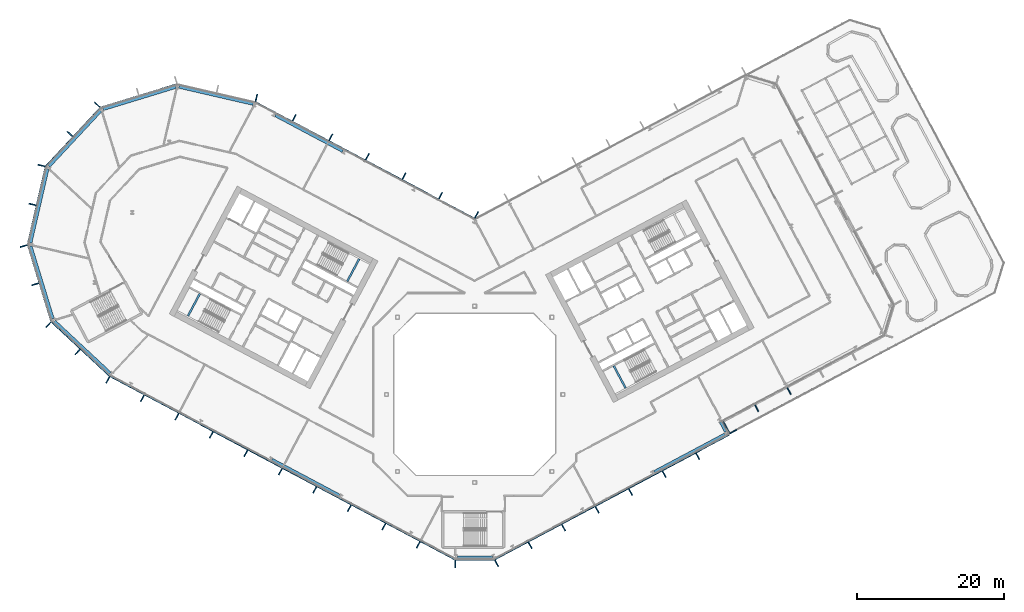
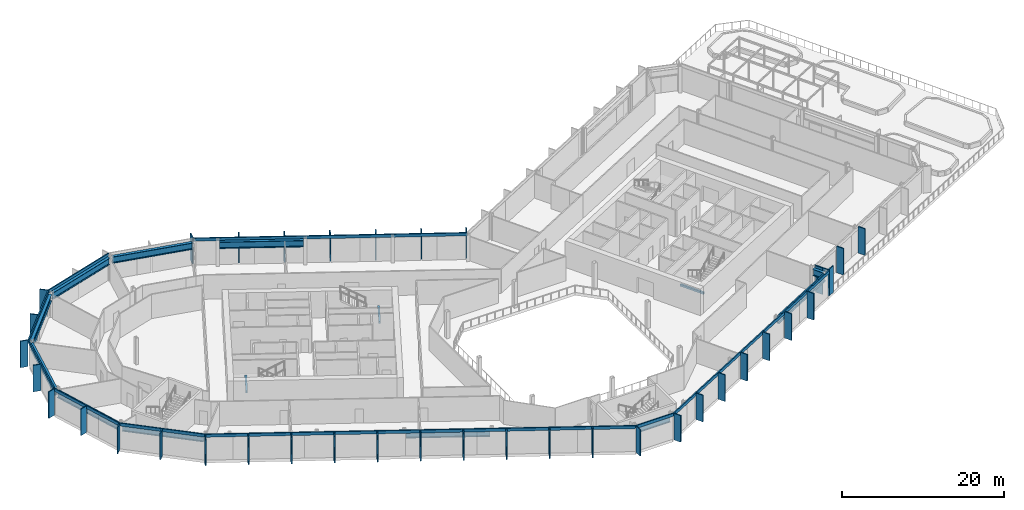
# One storey, part 9 of 34: 47 members, 14 beams, 12 elements without a shape of their own.
"""IFC4 building model written with IfcOpenShell, lengths in metres."""

import ifcopenshell
import ifcopenshell.guid

model = None  # the IFC model being written
_history = None  # IfcOwnerHistory: only IFC2X3 demands one
_inside = {}  # id of a spatial element -> (the spatial element, [elements in it])
_under = {}  # id of a project, library or spatial element -> (it, [spatial elements below it])
_declared = {}  # id of a project -> (the project, [libraries it declares])
_typed = {}  # id of a type object -> (the type object, [elements of that type])
_made_of = {}  # id of a material, layer set ... -> (it, [elements and type objects made of it])


def new_model(schema):
    """Start an empty IFC model of exactly this schema.

    Asked for "IFC4X3", IfcOpenShell would pick the latest addendum, in which some entities
    have other attributes; the version numbers below select the first issue.
    IFC2X3 requires an IfcOwnerHistory on every rooted entity: one is made here for all.
    """
    global model, _history
    if schema == "IFC4X3":
        model = ifcopenshell.file(schema_version=(4, 3, 0, 0))
    else:
        model = ifcopenshell.file(schema=schema)
    _inside.clear()
    _under.clear()
    _declared.clear()
    _typed.clear()
    _made_of.clear()
    _history = None
    if model.schema == "IFC2X3":
        org = make("IfcOrganization", Name="unknown")
        user = make(
            "IfcPersonAndOrganization",
            ThePerson=make("IfcPerson", FamilyName="unknown"),
            TheOrganization=org,
        )
        app = make(
            "IfcApplication",
            ApplicationDeveloper=org,
            Version="unknown",
            ApplicationFullName="unknown",
            ApplicationIdentifier="unknown",
        )
        _history = make(
            "IfcOwnerHistory",
            OwningUser=user,
            OwningApplication=app,
            ChangeAction="ADDED",
            CreationDate=0,
        )
    return model


def make(cls, **values):
    """One entity of the class cls with the attributes given. An attribute that is None is left unset."""
    return model.create_entity(
        cls, **{name: value for name, value in values.items() if value is not None}
    )


def rooted(cls, **values):
    """An entity with a GlobalId (a new one), such as an element, a storey or a relation."""
    return make(cls, GlobalId=ifcopenshell.guid.new(), OwnerHistory=_history, **values)


def si_unit(unit_type, name, prefix=None):
    """IfcSIUnit, for example si_unit("LENGTHUNIT", "METRE", prefix="MILLI")."""
    return make("IfcSIUnit", UnitType=unit_type, Prefix=prefix, Name=name)


def assignment(units):
    """IfcUnitAssignment: the units of a project."""
    return None if units is None else make("IfcUnitAssignment", Units=units)


def point(xyz):
    """IfcCartesianPoint."""
    return None if xyz is None else make("IfcCartesianPoint", Coordinates=xyz)


def direction(xyz):
    """IfcDirection."""
    return None if xyz is None else make("IfcDirection", DirectionRatios=xyz)


def frame(location, z_axis=None, x_axis=None):
    """IfcAxis2Placement3D, a coordinate frame: its origin and axes. An axis left out is left unset."""
    return make(
        "IfcAxis2Placement3D",
        Location=point(location),
        Axis=direction(z_axis),
        RefDirection=direction(x_axis),
    )


def frame_2d(location, x_axis=None):
    """IfcAxis2Placement2D, a coordinate frame in the plane: its origin and x axis."""
    return make(
        "IfcAxis2Placement2D", Location=point(location), RefDirection=direction(x_axis)
    )


def origin():
    """The frame at (0, 0, 0) with its axes left unset."""
    return frame((0.0, 0.0, 0.0))


def origin_2d():
    """The frame at (0, 0) in the plane with its x axis left unset."""
    return frame_2d((0.0, 0.0))


def place(relative_to, where):
    """IfcLocalPlacement: puts the frame where relative to a parent placement (None: the world)."""
    return make(
        "IfcLocalPlacement", PlacementRelTo=relative_to, RelativePlacement=where
    )


def context(
    kind, dimensions, precision=None, world=None, true_north=None, identifier=None
):
    """IfcGeometricRepresentationContext, for example the 3D "Model" context."""
    return make(
        "IfcGeometricRepresentationContext",
        ContextIdentifier=identifier,
        ContextType=kind,
        CoordinateSpaceDimension=dimensions,
        Precision=precision,
        WorldCoordinateSystem=world,
        TrueNorth=true_north,
    )


def subcontext(parent, identifier, kind, view, scale=None):
    """IfcGeometricRepresentationSubContext, for example "Body" below "Model"."""
    return make(
        "IfcGeometricRepresentationSubContext",
        ContextIdentifier=identifier,
        ContextType=kind,
        ParentContext=parent,
        TargetScale=scale,
        TargetView=view,
    )


def project(units=None, contexts=None):
    """IfcProject with its units and contexts."""
    return rooted(
        "IfcProject",
        Name="project",
        RepresentationContexts=contexts,
        UnitsInContext=assignment(units),
    )


def spatial(cls, under=None, at=None, **own):
    """A site, building, storey or space (cls), placed at a placement, below another one or the project."""
    s = rooted(cls, ObjectPlacement=at, **own)
    if under is not None:
        _under.setdefault(under.id(), (under, []))[1].append(s)
    return s


def profile(cls, at=None, kind="AREA", **sizes):
    """A parametric profile (cls). Its sizes go by their IFC names, for example OverallWidth=200.0."""
    return make(cls, ProfileType=kind, Position=at, **sizes)


def rectangle(**sizes):
    """IfcRectangleProfileDef."""
    return profile("IfcRectangleProfileDef", **sizes)


def i_section(**sizes):
    """IfcIShapeProfileDef."""
    return profile("IfcIShapeProfileDef", **sizes)


def extrude(swept, where, along, depth):
    """IfcExtrudedAreaSolid: the profile swept, set in the frame where, extruded along a direction by depth."""
    return make(
        "IfcExtrudedAreaSolid",
        SweptArea=swept,
        Position=where,
        ExtrudedDirection=direction(along),
        Depth=depth,
    )


def shape(context_of_items, identifier, shape_type, items):
    """IfcShapeRepresentation: the items that make up one representation, for example the "Body"."""
    return make(
        "IfcShapeRepresentation",
        ContextOfItems=context_of_items,
        RepresentationIdentifier=identifier,
        RepresentationType=shape_type,
        Items=items,
    )


def material(Name=None, Category=None):
    """IfcMaterial."""
    return make("IfcMaterial", Name=Name, Category=Category)


def layer(
    of_material, thickness, ventilated=None, Name=None, Category=None, Priority=None
):
    """IfcMaterialLayer: one layer of a wall or slab, of a material (None: an air gap)."""
    return make(
        "IfcMaterialLayer",
        Material=of_material,
        LayerThickness=thickness,
        IsVentilated=ventilated,
        Name=Name,
        Category=Category,
        Priority=Priority,
    )


def layer_set(layers, Name=None):
    """IfcMaterialLayerSet."""
    return make("IfcMaterialLayerSet", MaterialLayers=layers, LayerSetName=Name)


def material_profile(
    of_material, cross_section, Name=None, Category=None, Priority=None
):
    """IfcMaterialProfile: a cross section and its material."""
    return make(
        "IfcMaterialProfile",
        Name=Name,
        Material=of_material,
        Profile=cross_section,
        Priority=Priority,
        Category=Category,
    )


def profile_set(profiles, Name=None, composite=None):
    """IfcMaterialProfileSet."""
    return make(
        "IfcMaterialProfileSet",
        Name=Name,
        MaterialProfiles=profiles,
        CompositeProfile=composite,
    )


def made_of(thing, what):
    """Note that an element or type object is made of a material, layer set ...; save() writes the relation."""
    if what is not None:
        _made_of.setdefault(what.id(), (what, []))[1].append(thing)
    return thing


def type_object(cls, material=None, **own):
    """A type object (cls), such as IfcWallType, which elements share."""
    return made_of(rooted(cls, **own), material)


def element(
    cls,
    number,
    at=None,
    inside=None,
    cuts=None,
    type_object=None,
    material=None,
    context=None,
    identifier="Body",
    shape_type=None,
    held_by="IfcProductDefinitionShape",
    body=None,
    shapes=None,
    **own,
):
    """One element of the class cls, such as IfcWall. Its Tag is "e" and its number.

    at: its placement. inside: the storey or other place that contains it. cuts: it is an
    opening in that element (IfcRelVoidsElement). A single representation is given by context,
    identifier, shape_type and body (its items); several are given by shapes. held_by: the class
    of the entity that holds the representations. save() writes the other relations.
    """
    e = rooted(cls, Tag="e%d" % number, ObjectPlacement=at, **own)
    if body is not None:
        shapes = [shape(context, identifier, shape_type, body)]
    if shapes is not None:
        e.Representation = make(held_by, Representations=shapes)
    if inside is not None:
        _inside.setdefault(inside.id(), (inside, []))[1].append(e)
    if cuts is not None:
        rooted(
            "IfcRelVoidsElement", RelatingBuildingElement=cuts, RelatedOpeningElement=e
        )
    if type_object is not None:
        _typed.setdefault(type_object.id(), (type_object, []))[1].append(e)
    return made_of(e, material)


def aggregate(whole, parts):
    """IfcRelAggregates: a whole, such as a stair, and the parts it consists of."""
    return rooted("IfcRelAggregates", RelatingObject=whole, RelatedObjects=parts)


def save(model, path):
    """Write the relations noted so far, then the file.

    IfcRelAggregates (storeys below a building ...), IfcRelContainedInSpatialStructure (elements
    in a storey), IfcRelDefinesByType, IfcRelAssociatesMaterial and IfcRelDeclares: one each for
    every whole, place, type object, material and project.
    """
    for whole, parts in _under.values():
        aggregate(whole, parts)
    for where, things in _inside.values():
        rooted(
            "IfcRelContainedInSpatialStructure",
            RelatedElements=things,
            RelatingStructure=where,
        )
    for kind, things in _typed.values():
        rooted("IfcRelDefinesByType", RelatedObjects=things, RelatingType=kind)
    for what, things in _made_of.values():
        rooted("IfcRelAssociatesMaterial", RelatedObjects=things, RelatingMaterial=what)
    for by, libraries in _declared.values():
        rooted("IfcRelDeclares", RelatingContext=by, RelatedDefinitions=libraries)
    model.write(path)


model = new_model("IFC4")

# Units and contexts
model_context = context("Model", 3, precision=1e-05, world=origin(), true_north=direction((0.0, 1.0)))
body_context = subcontext(model_context, "Body", "Model", "MODEL_VIEW")
ifc_project = project(units=[si_unit("LENGTHUNIT", "METRE"), si_unit("AREAUNIT", "SQUARE_METRE"), si_unit("VOLUMEUNIT", "CUBIC_METRE"), si_unit("PLANEANGLEUNIT", "RADIAN"), si_unit("MASSUNIT", "GRAM", prefix="KILO")], contexts=[model_context])

# Site, building, storey
site_placement = place(None, origin())
site = spatial("IfcSite", under=ifc_project, at=site_placement, CompositionType="ELEMENT")
building_placement = place(site_placement, origin())
building = spatial("IfcBuilding", under=site, at=building_placement, Name="Cormorant Relay Tower", CompositionType="ELEMENT")
storey_placement = place(building_placement, frame((0.0, 0.0, 118.199951171875)))
storey = spatial("IfcBuildingStorey", under=building, at=storey_placement, Name="L23", CompositionType="ELEMENT", Elevation=118.199951171875)

# Curtain wall, member
ifc_material_1 = material(Name="Aluminium 6063-T6 anodised bronze", Category="aluminium")
ifc_layer = layer(ifc_material_1, 0.199951171875)
ifc_layer_set = layer_set([ifc_layer], Name="CW1 unitised bronze curtain wall with vertical fins")
curtain_wall_type = type_object("IfcCurtainWallType", Name="CW1 unitised bronze curtain wall with vertical fins", PredefinedType="NOTDEFINED", material=ifc_layer_set)
curtain_wall_1_placement = place(storey_placement, origin())
curtain_wall_1 = element("IfcCurtainWall", 1, at=curtain_wall_1_placement, inside=storey, type_object=curtain_wall_type, Name="CW1 curtain wall 1", PredefinedType="NOTDEFINED")
ifc_material_2 = material(Name="Aluminium 6063-T6 anodised bronze", Category="aluminium")
ifc_material_profile_1 = material_profile(ifc_material_2, rectangle(XDim=0.14990234375, YDim=1.0, at=origin_2d()), Name="AL 150x1000")
ifc_profile_set_1 = profile_set([ifc_material_profile_1], Name="Aluminium 6063-T6 anodised bronze")
member_type_1 = type_object("IfcMemberType", Name="CW1 bronze fin mullion 150 x 1000", PredefinedType="MULLION", material=ifc_profile_set_1)
member_1_placement = place(storey_placement, frame((-2.648681640625, -23.07568359375, 0.0), z_axis=(0.0, 0.0, 1.0), x_axis=(1.0, 0.0, 0.0)))
member_1 = element("IfcMember", 2, at=member_1_placement, type_object=member_type_1, Name="CW1 fin 1.1", PredefinedType="MULLION", context=body_context, shape_type="SweptSolid", body=[
    extrude(rectangle(XDim=0.14990234375, YDim=1.0, at=origin_2d()), origin(), (0.0, 0.0, 1.0), 4.0),
])

# Curtain wall, members
curtain_wall_2_placement = place(storey_placement, origin())
curtain_wall_2 = element("IfcCurtainWall", 3, at=curtain_wall_2_placement, inside=storey, type_object=curtain_wall_type, Name="CW1 curtain wall 2", PredefinedType="NOTDEFINED")
member_2_placement = place(storey_placement, frame((2.9775390625, -22.99365234375, 0.0), z_axis=(0.0, 0.0, 1.0), x_axis=(0.882947592859, 0.469471562786, 0.0)))
member_2 = element("IfcMember", 4, at=member_2_placement, type_object=member_type_1, Name="CW1 fin 2.1", PredefinedType="MULLION", context=body_context, shape_type="SweptSolid", body=[
    extrude(rectangle(XDim=0.14990234375, YDim=1.0, at=origin_2d()), origin(), (0.0, 0.0, 1.0), 4.0),
])
member_3_placement = place(storey_placement, frame((7.539306640625, -20.568115234375, 0.0), z_axis=(0.0, 0.0, 1.0), x_axis=(0.882947592859, 0.469471562786, 0.0)))
member_3 = element("IfcMember", 5, at=member_3_placement, type_object=member_type_1, Name="CW1 fin 2.2", PredefinedType="MULLION", context=body_context, shape_type="SweptSolid", body=[
    extrude(rectangle(XDim=0.14990234375, YDim=1.0, at=origin_2d()), origin(), (0.0, 0.0, 1.0), 4.0),
])
member_4_placement = place(storey_placement, frame((12.10107421875, -18.142578125, 0.0), z_axis=(0.0, 0.0, 1.0), x_axis=(0.882947592859, 0.469471562786, 0.0)))
member_4 = element("IfcMember", 6, at=member_4_placement, type_object=member_type_1, Name="CW1 fin 2.3", PredefinedType="MULLION", context=body_context, shape_type="SweptSolid", body=[
    extrude(rectangle(XDim=0.14990234375, YDim=1.0, at=origin_2d()), origin(), (0.0, 0.0, 1.0), 4.0),
])
member_5_placement = place(storey_placement, frame((16.662841796875, -15.717041015625, 0.0), z_axis=(0.0, 0.0, 1.0), x_axis=(0.882947592859, 0.469471562786, 0.0)))
member_5 = element("IfcMember", 7, at=member_5_placement, type_object=member_type_1, Name="CW1 fin 2.4", PredefinedType="MULLION", context=body_context, shape_type="SweptSolid", body=[
    extrude(rectangle(XDim=0.14990234375, YDim=1.0, at=origin_2d()), origin(), (0.0, 0.0, 1.0), 4.0),
])
member_6_placement = place(storey_placement, frame((21.224609375, -13.29150390625, 0.0), z_axis=(0.0, 0.0, 1.0), x_axis=(0.882947592859, 0.469471562786, 0.0)))
member_6 = element("IfcMember", 8, at=member_6_placement, type_object=member_type_1, Name="CW1 fin 2.5", PredefinedType="MULLION", context=body_context, shape_type="SweptSolid", body=[
    extrude(rectangle(XDim=0.14990234375, YDim=1.0, at=origin_2d()), origin(), (0.0, 0.0, 1.0), 4.0),
])
member_7_placement = place(storey_placement, frame((25.78662109375, -10.865966796875, 0.0), z_axis=(0.0, 0.0, 1.0), x_axis=(0.882947592859, 0.469471562786, 0.0)))
member_7 = element("IfcMember", 9, at=member_7_placement, type_object=member_type_1, Name="CW1 fin 2.6", PredefinedType="MULLION", context=body_context, shape_type="SweptSolid", body=[
    extrude(rectangle(XDim=0.14990234375, YDim=1.0, at=origin_2d()), origin(), (0.0, 0.0, 1.0), 4.0),
])
member_8_placement = place(storey_placement, frame((30.348388671875, -8.440185546875, 0.0), z_axis=(0.0, 0.0, 1.0), x_axis=(0.882947592859, 0.469471562786, 0.0)))
member_8 = element("IfcMember", 10, at=member_8_placement, type_object=member_type_1, Name="CW1 fin 2.7", PredefinedType="MULLION", context=body_context, shape_type="SweptSolid", body=[
    extrude(rectangle(XDim=0.14990234375, YDim=1.0, at=origin_2d()), origin(), (0.0, 0.0, 1.0), 4.0),
])

# Curtain wall, member
curtain_wall_3_placement = place(storey_placement, origin())
curtain_wall_3 = element("IfcCurtainWall", 11, at=curtain_wall_3_placement, inside=storey, type_object=curtain_wall_type, Name="CW1 curtain wall 3", PredefinedType="NOTDEFINED")
member_9_placement = place(storey_placement, frame((35.199462890625, -5.068115234375, 0.0), z_axis=(0.0, 0.0, 1.0), x_axis=(-0.469471562786, 0.882947592859, 0.0)))
member_9 = element("IfcMember", 12, at=member_9_placement, type_object=member_type_1, Name="CW1 fin 3.1", PredefinedType="MULLION", context=body_context, shape_type="SweptSolid", body=[
    extrude(rectangle(XDim=0.14990234375, YDim=1.0, at=origin_2d()), origin(), (0.0, 0.0, 1.0), 4.0),
])

# Curtain wall, members
curtain_wall_4_placement = place(storey_placement, origin())
curtain_wall_4 = element("IfcCurtainWall", 13, at=curtain_wall_4_placement, inside=storey, type_object=curtain_wall_type, Name="CW1 curtain wall 4", PredefinedType="NOTDEFINED")
member_10_placement = place(storey_placement, frame((34.037353515625, -4.213623046875, 0.0), z_axis=(0.0, 0.0, 1.0), x_axis=(0.882947592859, 0.469471562786, 0.0)))
member_10 = element("IfcMember", 14, at=member_10_placement, type_object=member_type_1, Name="CW1 fin 4.1", PredefinedType="MULLION", context=body_context, shape_type="SweptSolid", body=[
    extrude(rectangle(XDim=0.14990234375, YDim=1.0, at=origin_2d()), origin(), (0.0, 0.0, 1.0), 4.0),
])
member_11_placement = place(storey_placement, frame((38.385986328125, -1.901611328125, 0.0), z_axis=(0.0, 0.0, 1.0), x_axis=(0.882947592859, 0.469471562786, 0.0)))
member_11 = element("IfcMember", 15, at=member_11_placement, type_object=member_type_1, Name="CW1 fin 4.2", PredefinedType="MULLION", context=body_context, shape_type="SweptSolid", body=[
    extrude(rectangle(XDim=0.14990234375, YDim=1.0, at=origin_2d()), origin(), (0.0, 0.0, 1.0), 4.0),
])
member_12_placement = place(storey_placement, frame((42.800537109375, 0.44580078125, 0.0), z_axis=(0.0, 0.0, 1.0), x_axis=(0.882947592859, 0.469471562786, 0.0)))
member_12 = element("IfcMember", 16, at=member_12_placement, type_object=member_type_1, Name="CW1 fin 4.3", PredefinedType="MULLION", context=body_context, shape_type="SweptSolid", body=[
    extrude(rectangle(XDim=0.14990234375, YDim=1.0, at=origin_2d()), origin(), (0.0, 0.0, 1.0), 4.0),
])
aggregate(curtain_wall_4, [member_10, member_11, member_12])

curtain_wall_5_placement = place(storey_placement, origin())
curtain_wall_5 = element("IfcCurtainWall", 17, at=curtain_wall_5_placement, inside=storey, type_object=curtain_wall_type, Name="CW1 curtain wall 9", PredefinedType="NOTDEFINED")
member_13_placement = place(storey_placement, frame((0.262451171875, 24.437255859375, 0.0), z_axis=(0.0, 0.0, 1.0), x_axis=(-0.882947592859, 0.469471562786, 0.0)))
member_13 = element("IfcMember", 18, at=member_13_placement, type_object=member_type_1, Name="CW1 fin 9.1", PredefinedType="MULLION", context=body_context, shape_type="SweptSolid", body=[
    extrude(rectangle(XDim=0.14990234375, YDim=1.0, at=origin_2d()), origin(), (0.0, 0.0, 1.0), 4.0),
])
member_14_placement = place(storey_placement, frame((-4.650390625, 27.04931640625, 0.0), z_axis=(0.0, 0.0, 1.0), x_axis=(-0.882947592859, 0.469471562786, 0.0)))
member_14 = element("IfcMember", 19, at=member_14_placement, type_object=member_type_1, Name="CW1 fin 9.2", PredefinedType="MULLION", context=body_context, shape_type="SweptSolid", body=[
    extrude(rectangle(XDim=0.14990234375, YDim=1.0, at=origin_2d()), origin(), (0.0, 0.0, 1.0), 4.0),
])
member_15_placement = place(storey_placement, frame((-9.62939453125, 29.69677734375, 0.0), z_axis=(0.0, 0.0, 1.0), x_axis=(-0.882947592859, 0.469471562786, 0.0)))
member_15 = element("IfcMember", 20, at=member_15_placement, type_object=member_type_1, Name="CW1 fin 9.3", PredefinedType="MULLION", context=body_context, shape_type="SweptSolid", body=[
    extrude(rectangle(XDim=0.14990234375, YDim=1.0, at=origin_2d()), origin(), (0.0, 0.0, 1.0), 4.0),
])
member_16_placement = place(storey_placement, frame((-14.608154296875, 32.343994140625, 0.0), z_axis=(0.0, 0.0, 1.0), x_axis=(-0.882947592859, 0.469471562786, 0.0)))
member_16 = element("IfcMember", 21, at=member_16_placement, type_object=member_type_1, Name="CW1 fin 9.4", PredefinedType="MULLION", context=body_context, shape_type="SweptSolid", body=[
    extrude(rectangle(XDim=0.14990234375, YDim=1.0, at=origin_2d()), origin(), (0.0, 0.0, 1.0), 4.0),
])
member_17_placement = place(storey_placement, frame((-19.587158203125, 34.991455078125, 0.0), z_axis=(0.0, 0.0, 1.0), x_axis=(-0.882947592859, 0.469471562786, 0.0)))
member_17 = element("IfcMember", 22, at=member_17_placement, type_object=member_type_1, Name="CW1 fin 9.5", PredefinedType="MULLION", context=body_context, shape_type="SweptSolid", body=[
    extrude(rectangle(XDim=0.14990234375, YDim=1.0, at=origin_2d()), origin(), (0.0, 0.0, 1.0), 4.0),
])
member_18_placement = place(storey_placement, frame((-24.566162109375, 37.638916015625, 0.0), z_axis=(0.0, 0.0, 1.0), x_axis=(-0.882947592859, 0.469471562786, 0.0)))
member_18 = element("IfcMember", 23, at=member_18_placement, type_object=member_type_1, Name="CW1 fin 9.6", PredefinedType="MULLION", context=body_context, shape_type="SweptSolid", body=[
    extrude(rectangle(XDim=0.14990234375, YDim=1.0, at=origin_2d()), origin(), (0.0, 0.0, 1.0), 4.0),
])

# Curtain wall, member
curtain_wall_6_placement = place(storey_placement, origin())
curtain_wall_6 = element("IfcCurtainWall", 24, at=curtain_wall_6_placement, inside=storey, type_object=curtain_wall_type, Name="CW1 curtain wall 10", PredefinedType="NOTDEFINED")
member_19_placement = place(storey_placement, frame((-29.71630859375, 40.35009765625, 0.0), z_axis=(0.0, 0.0, 1.0), x_axis=(-0.974370064785, 0.224951054344, 0.0)))
member_19 = element("IfcMember", 25, at=member_19_placement, type_object=member_type_1, Name="CW1 fin 10.1", PredefinedType="MULLION", context=body_context, shape_type="SweptSolid", body=[
    extrude(rectangle(XDim=0.14990234375, YDim=1.0, at=origin_2d()), origin(), (0.0, 0.0, 1.0), 4.0),
])
aggregate(curtain_wall_6, [member_19])

# Curtain wall, members
curtain_wall_7_placement = place(storey_placement, origin())
curtain_wall_7 = element("IfcCurtainWall", 26, at=curtain_wall_7_placement, inside=storey, type_object=curtain_wall_type, Name="CW1 curtain wall 12", PredefinedType="NOTDEFINED")
member_20_placement = place(storey_placement, frame((-51.372802734375, 39.41259765625, 0.0), z_axis=(0.0, 0.0, 1.0), x_axis=(-0.681998360062, -0.731353701619, 0.0)))
member_20 = element("IfcMember", 27, at=member_20_placement, type_object=member_type_1, Name="CW1 fin 12.1", PredefinedType="MULLION", context=body_context, shape_type="SweptSolid", body=[
    extrude(rectangle(XDim=0.14990234375, YDim=1.0, at=origin_2d()), origin(), (0.0, 0.0, 1.0), 4.0),
])
member_21_placement = place(storey_placement, frame((-55.07958984375, 35.4375, 0.0), z_axis=(0.0, 0.0, 1.0), x_axis=(-0.681998360062, -0.731353701619, 0.0)))
member_21 = element("IfcMember", 28, at=member_21_placement, type_object=member_type_1, Name="CW1 fin 12.2", PredefinedType="MULLION", context=body_context, shape_type="SweptSolid", body=[
    extrude(rectangle(XDim=0.14990234375, YDim=1.0, at=origin_2d()), origin(), (0.0, 0.0, 1.0), 4.0),
])

curtain_wall_8_placement = place(storey_placement, origin())
curtain_wall_8 = element("IfcCurtainWall", 29, at=curtain_wall_8_placement, inside=storey, type_object=curtain_wall_type, Name="CW1 curtain wall 13", PredefinedType="NOTDEFINED")
member_22_placement = place(storey_placement, frame((-58.95654296875, 31.142578125, 0.0), z_axis=(0.0, 0.0, 1.0), x_axis=(-0.224951054344, -0.974370064785, 0.0)))
member_22 = element("IfcMember", 30, at=member_22_placement, type_object=member_type_1, Name="CW1 fin 13.1", PredefinedType="MULLION", context=body_context, shape_type="SweptSolid", body=[
    extrude(rectangle(XDim=0.14990234375, YDim=1.0, at=origin_2d()), origin(), (0.0, 0.0, 1.0), 4.0),
])
member_23_placement = place(storey_placement, frame((-60.17919921875, 25.8466796875, 0.0), z_axis=(0.0, 0.0, 1.0), x_axis=(-0.224951054344, -0.974370064785, 0.0)))
member_23 = element("IfcMember", 31, at=member_23_placement, type_object=member_type_1, Name="CW1 fin 13.2", PredefinedType="MULLION", context=body_context, shape_type="SweptSolid", body=[
    extrude(rectangle(XDim=0.14990234375, YDim=1.0, at=origin_2d()), origin(), (0.0, 0.0, 1.0), 4.0),
])

curtain_wall_9_placement = place(storey_placement, origin())
curtain_wall_9 = element("IfcCurtainWall", 32, at=curtain_wall_9_placement, inside=storey, type_object=curtain_wall_type, Name="CW1 curtain wall 14", PredefinedType="NOTDEFINED")
member_24_placement = place(storey_placement, frame((-61.389404296875, 20.188720703125, 0.0), z_axis=(0.0, 0.0, 1.0), x_axis=(0.292371704723, -0.956304755963, 0.0)))
member_24 = element("IfcMember", 33, at=member_24_placement, type_object=member_type_1, Name="CW1 fin 14.1", PredefinedType="MULLION", context=body_context, shape_type="SweptSolid", body=[
    extrude(rectangle(XDim=0.14990234375, YDim=1.0, at=origin_2d()), origin(), (0.0, 0.0, 1.0), 4.0),
])
member_25_placement = place(storey_placement, frame((-59.80029296875, 14.990966796875, 0.0), z_axis=(0.0, 0.0, 1.0), x_axis=(0.292371704723, -0.956304755963, 0.0)))
member_25 = element("IfcMember", 34, at=member_25_placement, type_object=member_type_1, Name="CW1 fin 14.2", PredefinedType="MULLION", context=body_context, shape_type="SweptSolid", body=[
    extrude(rectangle(XDim=0.14990234375, YDim=1.0, at=origin_2d()), origin(), (0.0, 0.0, 1.0), 4.0),
])

curtain_wall_10_placement = place(storey_placement, origin())
curtain_wall_10 = element("IfcCurtainWall", 35, at=curtain_wall_10_placement, inside=storey, type_object=curtain_wall_type, Name="CW1 curtain wall 15", PredefinedType="NOTDEFINED")
member_26_placement = place(storey_placement, frame((-58.01904296875, 9.486083984375, 0.0), z_axis=(0.0, 0.0, 1.0), x_axis=(0.731353701619, -0.681998360062, 0.0)))
member_26 = element("IfcMember", 36, at=member_26_placement, type_object=member_type_1, Name="CW1 fin 15.1", PredefinedType="MULLION", context=body_context, shape_type="SweptSolid", body=[
    extrude(rectangle(XDim=0.14990234375, YDim=1.0, at=origin_2d()), origin(), (0.0, 0.0, 1.0), 4.0),
])
member_27_placement = place(storey_placement, frame((-54.0439453125, 5.779296875, 0.0), z_axis=(0.0, 0.0, 1.0), x_axis=(0.731353701619, -0.681998360062, 0.0)))
member_27 = element("IfcMember", 37, at=member_27_placement, type_object=member_type_1, Name="CW1 fin 15.2", PredefinedType="MULLION", context=body_context, shape_type="SweptSolid", body=[
    extrude(rectangle(XDim=0.14990234375, YDim=1.0, at=origin_2d()), origin(), (0.0, 0.0, 1.0), 4.0),
])

curtain_wall_11_placement = place(storey_placement, origin())
curtain_wall_11 = element("IfcCurtainWall", 38, at=curtain_wall_11_placement, inside=storey, type_object=curtain_wall_type, Name="CW1 curtain wall 16", PredefinedType="NOTDEFINED")
member_28_placement = place(storey_placement, frame((-49.920166015625, 1.96630859375, 0.0), z_axis=(0.0, 0.0, 1.0), x_axis=(0.882947592859, -0.469471562786, 0.0)))
member_28 = element("IfcMember", 39, at=member_28_placement, type_object=member_type_1, Name="CW1 fin 16.1", PredefinedType="MULLION", context=body_context, shape_type="SweptSolid", body=[
    extrude(rectangle(XDim=0.14990234375, YDim=1.0, at=origin_2d()), origin(), (0.0, 0.0, 1.0), 4.0),
])
member_29_placement = place(storey_placement, frame((-45.225830078125, -0.52978515625, 0.0), z_axis=(0.0, 0.0, 1.0), x_axis=(0.882947592859, -0.469471562786, 0.0)))
member_29 = element("IfcMember", 40, at=member_29_placement, type_object=member_type_1, Name="CW1 fin 16.2", PredefinedType="MULLION", context=body_context, shape_type="SweptSolid", body=[
    extrude(rectangle(XDim=0.14990234375, YDim=1.0, at=origin_2d()), origin(), (0.0, 0.0, 1.0), 4.0),
])
member_30_placement = place(storey_placement, frame((-40.531494140625, -3.025634765625, 0.0), z_axis=(0.0, 0.0, 1.0), x_axis=(0.882947592859, -0.469471562786, 0.0)))
member_30 = element("IfcMember", 41, at=member_30_placement, type_object=member_type_1, Name="CW1 fin 16.3", PredefinedType="MULLION", context=body_context, shape_type="SweptSolid", body=[
    extrude(rectangle(XDim=0.14990234375, YDim=1.0, at=origin_2d()), origin(), (0.0, 0.0, 1.0), 4.0),
])
member_31_placement = place(storey_placement, frame((-35.83740234375, -5.521728515625, 0.0), z_axis=(0.0, 0.0, 1.0), x_axis=(0.882947592859, -0.469471562786, 0.0)))
member_31 = element("IfcMember", 42, at=member_31_placement, type_object=member_type_1, Name="CW1 fin 16.4", PredefinedType="MULLION", context=body_context, shape_type="SweptSolid", body=[
    extrude(rectangle(XDim=0.14990234375, YDim=1.0, at=origin_2d()), origin(), (0.0, 0.0, 1.0), 4.0),
])
member_32_placement = place(storey_placement, frame((-31.14306640625, -8.017578125, 0.0), z_axis=(0.0, 0.0, 1.0), x_axis=(0.882947592859, -0.469471562786, 0.0)))
member_32 = element("IfcMember", 43, at=member_32_placement, type_object=member_type_1, Name="CW1 fin 16.5", PredefinedType="MULLION", context=body_context, shape_type="SweptSolid", body=[
    extrude(rectangle(XDim=0.14990234375, YDim=1.0, at=origin_2d()), origin(), (0.0, 0.0, 1.0), 4.0),
])
member_33_placement = place(storey_placement, frame((-26.44873046875, -10.513671875, 0.0), z_axis=(0.0, 0.0, 1.0), x_axis=(0.882947592859, -0.469471562786, 0.0)))
member_33 = element("IfcMember", 44, at=member_33_placement, type_object=member_type_1, Name="CW1 fin 16.6", PredefinedType="MULLION", context=body_context, shape_type="SweptSolid", body=[
    extrude(rectangle(XDim=0.14990234375, YDim=1.0, at=origin_2d()), origin(), (0.0, 0.0, 1.0), 4.0),
])
member_34_placement = place(storey_placement, frame((-21.754638671875, -13.009765625, 0.0), z_axis=(0.0, 0.0, 1.0), x_axis=(0.882947592859, -0.469471562786, 0.0)))
member_34 = element("IfcMember", 45, at=member_34_placement, type_object=member_type_1, Name="CW1 fin 16.7", PredefinedType="MULLION", context=body_context, shape_type="SweptSolid", body=[
    extrude(rectangle(XDim=0.14990234375, YDim=1.0, at=origin_2d()), origin(), (0.0, 0.0, 1.0), 4.0),
])
member_35_placement = place(storey_placement, frame((-17.060302734375, -15.505615234375, 0.0), z_axis=(0.0, 0.0, 1.0), x_axis=(0.882947592859, -0.469471562786, 0.0)))
member_35 = element("IfcMember", 46, at=member_35_placement, type_object=member_type_1, Name="CW1 fin 16.8", PredefinedType="MULLION", context=body_context, shape_type="SweptSolid", body=[
    extrude(rectangle(XDim=0.14990234375, YDim=1.0, at=origin_2d()), origin(), (0.0, 0.0, 1.0), 4.0),
])
member_36_placement = place(storey_placement, frame((-12.365966796875, -18.001708984375, 0.0), z_axis=(0.0, 0.0, 1.0), x_axis=(0.882947592859, -0.469471562786, 0.0)))
member_36 = element("IfcMember", 47, at=member_36_placement, type_object=member_type_1, Name="CW1 fin 16.9", PredefinedType="MULLION", context=body_context, shape_type="SweptSolid", body=[
    extrude(rectangle(XDim=0.14990234375, YDim=1.0, at=origin_2d()), origin(), (0.0, 0.0, 1.0), 4.0),
])
member_37_placement = place(storey_placement, frame((-7.671630859375, -20.49755859375, 0.0), z_axis=(0.0, 0.0, 1.0), x_axis=(0.882947592859, -0.469471562786, 0.0)))
member_37 = element("IfcMember", 48, at=member_37_placement, type_object=member_type_1, Name="CW1 fin 16.10", PredefinedType="MULLION", context=body_context, shape_type="SweptSolid", body=[
    extrude(rectangle(XDim=0.14990234375, YDim=1.0, at=origin_2d()), origin(), (0.0, 0.0, 1.0), 4.0),
])

# Member
ifc_material_3 = material(Name="Aluminium 6063-T6 anodised bronze", Category="aluminium")
ifc_material_profile_2 = material_profile(ifc_material_3, rectangle(XDim=0.159912109375, YDim=0.449951171875, at=origin_2d()), Name="AL 160x450")
ifc_profile_set_2 = profile_set([ifc_material_profile_2], Name="Aluminium 6063-T6 anodised bronze")
member_type_2 = type_object("IfcMemberType", Name="CW1 bronze transom 160 x 450", PredefinedType="USERDEFINED", material=ifc_profile_set_2)
member_38_placement = place(storey_placement, frame((-2.648681640625, -22.49560546875, 3.775146484375), z_axis=(1.0, 0.0, 0.0), x_axis=(0.0, 1.0, 0.0)))
member_38 = element("IfcMember", 49, at=member_38_placement, type_object=member_type_2, Name="CW1 transom 1", ObjectType="TRANSOM", PredefinedType="USERDEFINED", context=body_context, shape_type="SweptSolid", body=[
    extrude(rectangle(XDim=0.159912109375, YDim=0.449951171875, at=origin_2d()), origin(), (0.0, 0.0, 1.0), 5.29736328125),
])

aggregate(curtain_wall_1, [member_1, member_38])

member_39_placement = place(storey_placement, frame((2.705078125, -22.4814453125, 3.775146484375), z_axis=(0.882948899141, 0.469469106018, 0.0), x_axis=(-0.469469106018, 0.882948899141, 0.0)))
member_39 = element("IfcMember", 50, at=member_39_placement, type_object=member_type_2, Name="CW1 transom 2", ObjectType="TRANSOM", PredefinedType="USERDEFINED", context=body_context, shape_type="SweptSolid", body=[
    extrude(rectangle(XDim=0.159912109375, YDim=0.449951171875, at=origin_2d()), origin(), (0.0, 0.0, 1.0), 36.165771484375),
])

aggregate(curtain_wall_2, [member_2, member_3, member_4, member_5, member_6, member_7, member_8, member_39])

member_40_placement = place(storey_placement, frame((34.6875, -5.34033203125, 3.775146484375), z_axis=(-0.469580583036, 0.88288961713, 0.0), x_axis=(-0.88288961713, -0.469580583036, 0.0)))
member_40 = element("IfcMember", 51, at=member_40_placement, type_object=member_type_2, Name="CW1 transom 3", ObjectType="TRANSOM", PredefinedType="USERDEFINED", context=body_context, shape_type="SweptSolid", body=[
    extrude(rectangle(XDim=0.159912109375, YDim=0.449951171875, at=origin_2d()), origin(), (0.0, 0.0, 1.0), 2.0),
])

aggregate(curtain_wall_3, [member_9, member_40])

member_41_placement = place(storey_placement, frame((0.056396484375, 23.889892578125, 3.775146484375), z_axis=(-0.882946280328, 0.46947403129, 0.0), x_axis=(-0.46947403129, -0.882946280328, 0.0)))
member_41 = element("IfcMember", 52, at=member_41_placement, type_object=member_type_2, Name="CW1 transom 9", ObjectType="TRANSOM", PredefinedType="USERDEFINED", context=body_context, shape_type="SweptSolid", body=[
    extrude(rectangle(XDim=0.159912109375, YDim=0.449951171875, at=origin_2d()), origin(), (0.0, 0.0, 1.0), 33.834228515625),
])

aggregate(curtain_wall_5, [member_13, member_14, member_15, member_16, member_17, member_18, member_41])

# Curtain wall, member
curtain_wall_12_placement = place(storey_placement, origin())
curtain_wall_12 = element("IfcCurtainWall", 53, at=curtain_wall_12_placement, inside=storey, type_object=curtain_wall_type, Name="CW1 curtain wall 11", PredefinedType="NOTDEFINED")
member_42_placement = place(storey_placement, frame((-40.50048828125, 42.228271484375, 3.775146484375), z_axis=(-0.956304833932, -0.292371449698, 0.0), x_axis=(0.292371449698, -0.956304833932, 0.0)))
member_42 = element("IfcMember", 54, at=member_42_placement, type_object=member_type_2, Name="CW1 transom 11", ObjectType="TRANSOM", PredefinedType="USERDEFINED", context=body_context, shape_type="SweptSolid", body=[
    extrude(rectangle(XDim=0.159912109375, YDim=0.449951171875, at=origin_2d()), origin(), (0.0, 0.0, 1.0), 10.87060546875),
])
aggregate(curtain_wall_12, [member_42])

# Member
member_43_placement = place(storey_placement, frame((-50.94873046875, 39.01708984375, 3.775146484375), z_axis=(-0.681993299437, -0.731358420696, 0.0), x_axis=(0.731358420696, -0.681993299437, 0.0)))
member_43 = element("IfcMember", 55, at=member_43_placement, type_object=member_type_2, Name="CW1 transom 12", ObjectType="TRANSOM", PredefinedType="USERDEFINED", context=body_context, shape_type="SweptSolid", body=[
    extrude(rectangle(XDim=0.159912109375, YDim=0.449951171875, at=origin_2d()), origin(), (0.0, 0.0, 1.0), 10.870361328125),
])

aggregate(curtain_wall_7, [member_20, member_21, member_43])

member_44_placement = place(storey_placement, frame((-58.3916015625, 31.01220703125, 3.775146484375), z_axis=(-0.22495136131, -0.974369993916, 0.0), x_axis=(0.974369993916, -0.22495136131, 0.0)))
member_44 = element("IfcMember", 56, at=member_44_placement, type_object=member_type_2, Name="CW1 transom 13", ObjectType="TRANSOM", PredefinedType="USERDEFINED", context=body_context, shape_type="SweptSolid", body=[
    extrude(rectangle(XDim=0.159912109375, YDim=0.449951171875, at=origin_2d()), origin(), (0.0, 0.0, 1.0), 10.870361328125),
])

aggregate(curtain_wall_8, [member_22, member_23, member_44])

member_45_placement = place(storey_placement, frame((-60.834716796875, 20.358154296875, 3.775146484375), z_axis=(0.292377729282, -0.95630291405, 0.0), x_axis=(0.95630291405, 0.292377729282, 0.0)))
member_45 = element("IfcMember", 57, at=member_45_placement, type_object=member_type_2, Name="CW1 transom 14", ObjectType="TRANSOM", PredefinedType="USERDEFINED", context=body_context, shape_type="SweptSolid", body=[
    extrude(rectangle(XDim=0.159912109375, YDim=0.449951171875, at=origin_2d()), origin(), (0.0, 0.0, 1.0), 10.870361328125),
])

aggregate(curtain_wall_9, [member_24, member_25, member_45])

member_46_placement = place(storey_placement, frame((-57.62353515625, 9.91015625, 3.775146484375), z_axis=(0.731358420696, -0.681993299437, 0.0), x_axis=(0.681993299437, 0.731358420696, 0.0)))
member_46 = element("IfcMember", 58, at=member_46_placement, type_object=member_type_2, Name="CW1 transom 15", ObjectType="TRANSOM", PredefinedType="USERDEFINED", context=body_context, shape_type="SweptSolid", body=[
    extrude(rectangle(XDim=0.159912109375, YDim=0.449951171875, at=origin_2d()), origin(), (0.0, 0.0, 1.0), 10.870361328125),
])

aggregate(curtain_wall_10, [member_26, member_27, member_46])

member_47_placement = place(storey_placement, frame((-49.64794921875, 2.478515625, 3.775146484375), z_axis=(0.882947642542, -0.469471469346, 0.0), x_axis=(0.469471469346, 0.882947642542, 0.0)))
member_47 = element("IfcMember", 59, at=member_47_placement, type_object=member_type_2, Name="CW1 transom 16", ObjectType="TRANSOM", PredefinedType="USERDEFINED", context=body_context, shape_type="SweptSolid", body=[
    extrude(rectangle(XDim=0.159912109375, YDim=0.449951171875, at=origin_2d()), origin(), (0.0, 0.0, 1.0), 53.166015625),
])

aggregate(curtain_wall_11, [member_28, member_29, member_30, member_31, member_32, member_33, member_34, member_35, member_36, member_37, member_47])

# Beams
ifc_material_4 = material(Name="Steel ASTM A992 (Fy 345 MPa)", Category="steel")
ifc_material_profile_3 = material_profile(ifc_material_4, i_section(OverallWidth=0.4013671875, OverallDepth=1.000732421875, WebThickness=0.01904296875, FlangeThickness=0.0361328125, FilletRadius=0.02978515625, at=origin_2d()), Name="W1000x371")
ifc_profile_set_3 = profile_set([ifc_material_profile_3], Name="Steel ASTM A992 (Fy 345 MPa)")
beam_type_1 = type_object("IfcBeamType", Name="Spandrel W1000x371", PredefinedType="SPANDREL", material=ifc_profile_set_3)
beam_1_placement = place(storey_placement, frame((-2.35888671875, -22.1748046875, 3.1396484375), z_axis=(1.0, 0.0, 0.0), x_axis=(0.0, 1.0, 0.0)))
element("IfcBeam", 60, at=beam_1_placement, inside=storey, type_object=beam_type_1, Name="Spandrel beam L23-001", PredefinedType="SPANDREL", context=body_context, shape_type="SweptSolid", body=[
    extrude(i_section(OverallWidth=0.4013671875, OverallDepth=1.000732421875, WebThickness=0.01904296875, FlangeThickness=0.0361328125, FilletRadius=0.02978515625, at=origin_2d()), origin(), (0.0, 0.0, 1.0), 4.748046875),
])
beam_2_placement = place(storey_placement, frame((24.427001953125, -10.568603515625, 3.1396484375), z_axis=(0.88295524081, 0.469457178799, 0.0), x_axis=(-0.469457178799, 0.88295524081, 0.0)))
element("IfcBeam", 61, at=beam_2_placement, inside=storey, type_object=beam_type_1, Name="Spandrel beam L23-002", PredefinedType="SPANDREL", context=body_context, shape_type="SweptSolid", body=[
    extrude(i_section(OverallWidth=0.4013671875, OverallDepth=1.000732421875, WebThickness=0.01904296875, FlangeThickness=0.0361328125, FilletRadius=0.02978515625, at=origin_2d()), origin(), (0.0, 0.0, 1.0), 10.915771484375),
])
beam_3_placement = place(storey_placement, frame((34.191650390625, -5.091064453125, 3.1396484375), z_axis=(-0.469471937736, 0.882947393494, 0.0), x_axis=(-0.882947393494, -0.469471937736, 0.0)))
element("IfcBeam", 62, at=beam_3_placement, inside=storey, type_object=beam_type_1, Name="Spandrel beam L23-003", PredefinedType="SPANDREL", context=body_context, shape_type="SweptSolid", body=[
    extrude(i_section(OverallWidth=0.4013671875, OverallDepth=1.000732421875, WebThickness=0.01904296875, FlangeThickness=0.0361328125, FilletRadius=0.02978515625, at=origin_2d()), origin(), (0.0, 0.0, 1.0), 1.521728515625),
])
beam_4_placement = place(storey_placement, frame((-17.964599609375, 33.108642578125, 3.1396484375), z_axis=(-0.882946180893, 0.469474218299, 0.0), x_axis=(-0.469474218299, -0.882946180893, 0.0)))
element("IfcBeam", 63, at=beam_4_placement, inside=storey, type_object=beam_type_1, Name="Spandrel beam L23-009", PredefinedType="SPANDREL", context=body_context, shape_type="SweptSolid", body=[
    extrude(i_section(OverallWidth=0.4013671875, OverallDepth=1.000732421875, WebThickness=0.01904296875, FlangeThickness=0.0361328125, FilletRadius=0.02978515625, at=origin_2d()), origin(), (0.0, 0.0, 1.0), 10.388671875),
])
beam_5_placement = place(storey_placement, frame((-30.162109375, 39.52880859375, 3.1396484375), z_axis=(-0.974371727644, 0.224943851591, 0.0), x_axis=(-0.224943851591, -0.974371727644, 0.0)))
element("IfcBeam", 64, at=beam_5_placement, inside=storey, type_object=beam_type_1, Name="Spandrel beam L23-010", PredefinedType="SPANDREL", context=body_context, shape_type="SweptSolid", body=[
    extrude(i_section(OverallWidth=0.4013671875, OverallDepth=1.000732421875, WebThickness=0.01904296875, FlangeThickness=0.0361328125, FilletRadius=0.02978515625, at=origin_2d()), origin(), (0.0, 0.0, 1.0), 10.3583984375),
])
beam_6_placement = place(storey_placement, frame((-40.69140625, 41.834716796875, 3.1396484375), z_axis=(-0.95629714744, -0.292396589921, 0.0), x_axis=(0.292396589921, -0.95629714744, 0.0)))
element("IfcBeam", 65, at=beam_6_placement, inside=storey, type_object=beam_type_1, Name="Spandrel beam L23-011", PredefinedType="SPANDREL", context=body_context, shape_type="SweptSolid", body=[
    extrude(i_section(OverallWidth=0.4013671875, OverallDepth=1.000732421875, WebThickness=0.01904296875, FlangeThickness=0.0361328125, FilletRadius=0.02978515625, at=origin_2d()), origin(), (0.0, 0.0, 1.0), 10.31103515625),
])
beam_7_placement = place(storey_placement, frame((-50.917236328125, 38.58056640625, 3.1396484375), z_axis=(-0.682003508788, -0.731348900321, 0.0), x_axis=(0.731348900321, -0.682003508788, 0.0)))
element("IfcBeam", 66, at=beam_7_placement, inside=storey, type_object=beam_type_1, Name="Spandrel beam L23-012", PredefinedType="SPANDREL", context=body_context, shape_type="SweptSolid", body=[
    extrude(i_section(OverallWidth=0.4013671875, OverallDepth=1.000732421875, WebThickness=0.01904296875, FlangeThickness=0.0361328125, FilletRadius=0.02978515625, at=origin_2d()), origin(), (0.0, 0.0, 1.0), 10.310791015625),
])
for number, where, z_axis, x_axis, name in (
    (67, (-58.14599609375, 30.64990234375, 3.1396484375), (-0.224951162328, -0.974370039855, 0.0), (0.974370039855, -0.224951162328, 0.0), "Spandrel beam L23-013"),
    (68, (-60.44091796875, 20.16748046875, 3.1396484375), (0.292366522639, -0.95630634027, 0.0), (0.95630634027, 0.292366522639, 0.0), "Spandrel beam L23-014"),
):
    element("IfcBeam", number, at=place(storey_placement, frame(where, z_axis=z_axis, x_axis=x_axis)), inside=storey, type_object=beam_type_1, Name=name, PredefinedType="SPANDREL", context=body_context, shape_type="SweptSolid", body=[
        extrude(i_section(OverallWidth=0.4013671875, OverallDepth=1.000732421875, WebThickness=0.01904296875, FlangeThickness=0.0361328125, FilletRadius=0.02978515625, at=origin_2d()), origin(), (0.0, 0.0, 1.0), 10.310302734375),
    ])
beam_8_placement = place(storey_placement, frame((-57.1875, 9.94189453125, 3.1396484375), z_axis=(0.731351225545, -0.682001015317, 0.0), x_axis=(0.682001015317, 0.731351225545, 0.0)))
element("IfcBeam", 69, at=beam_8_placement, inside=storey, type_object=beam_type_1, Name="Spandrel beam L23-015", PredefinedType="SPANDREL", context=body_context, shape_type="SweptSolid", body=[
    extrude(i_section(OverallWidth=0.4013671875, OverallDepth=1.000732421875, WebThickness=0.01904296875, FlangeThickness=0.0361328125, FilletRadius=0.02978515625, at=origin_2d()), origin(), (0.0, 0.0, 1.0), 10.33935546875),
])
beam_9_placement = place(storey_placement, frame((-27.595458984375, -8.8837890625, 3.1396484375), z_axis=(0.882941619164, -0.4694827975, 0.0), x_axis=(0.4694827975, 0.882941619164, 0.0)))
element("IfcBeam", 70, at=beam_9_placement, inside=storey, type_object=beam_type_1, Name="Spandrel beam L23-016", PredefinedType="SPANDREL", context=body_context, shape_type="SweptSolid", body=[
    extrude(i_section(OverallWidth=0.4013671875, OverallDepth=1.000732421875, WebThickness=0.01904296875, FlangeThickness=0.0361328125, FilletRadius=0.02978515625, at=origin_2d()), origin(), (0.0, 0.0, 1.0), 10.388916015625),
])
ifc_material_5 = material(Name="Concrete 50 MPa", Category="concrete")
ifc_material_profile_4 = material_profile(ifc_material_5, rectangle(XDim=0.25, YDim=0.300048828125, at=origin_2d()), Name="RC 250x300")
ifc_profile_set_4 = profile_set([ifc_material_profile_4], Name="Concrete 50 MPa")
beam_type_2 = type_object("IfcBeamType", Name="Stair landing ledge beam 250x300", PredefinedType="BEAM", material=ifc_profile_set_4)
for number, where, z_axis, x_axis, name in (
    (71, (-17.338623046875, 15.3916015625, 1.650146484375), (0.469463917486, 0.882951657895, 0.0), (-0.882951657895, 0.469463917486, 0.0), "A1 landing ledge beam"),
    (72, (-37.404052734375, 13.715576171875, 1.650146484375), (-0.469463917486, -0.882951657895, 0.0), (0.882951657895, -0.469463917486, 0.0), "A2 landing ledge beam"),
    (73, (18.924072265625, 3.8896484375, 1.650146484375), (0.469463917486, -0.882951657895, 0.0), (0.882951657895, 0.469463917486, 0.0), "B1 landing ledge beam"),
):
    element("IfcBeam", number, at=place(storey_placement, frame(where, z_axis=z_axis, x_axis=x_axis)), inside=storey, type_object=beam_type_2, Name=name, PredefinedType="BEAM", context=body_context, shape_type="SweptSolid", body=[
        extrude(rectangle(XDim=0.25, YDim=0.300048828125, at=origin_2d()), origin(), (0.0, 0.0, 1.0), 3.449951171875),
    ])

save(model, "model.ifc")
